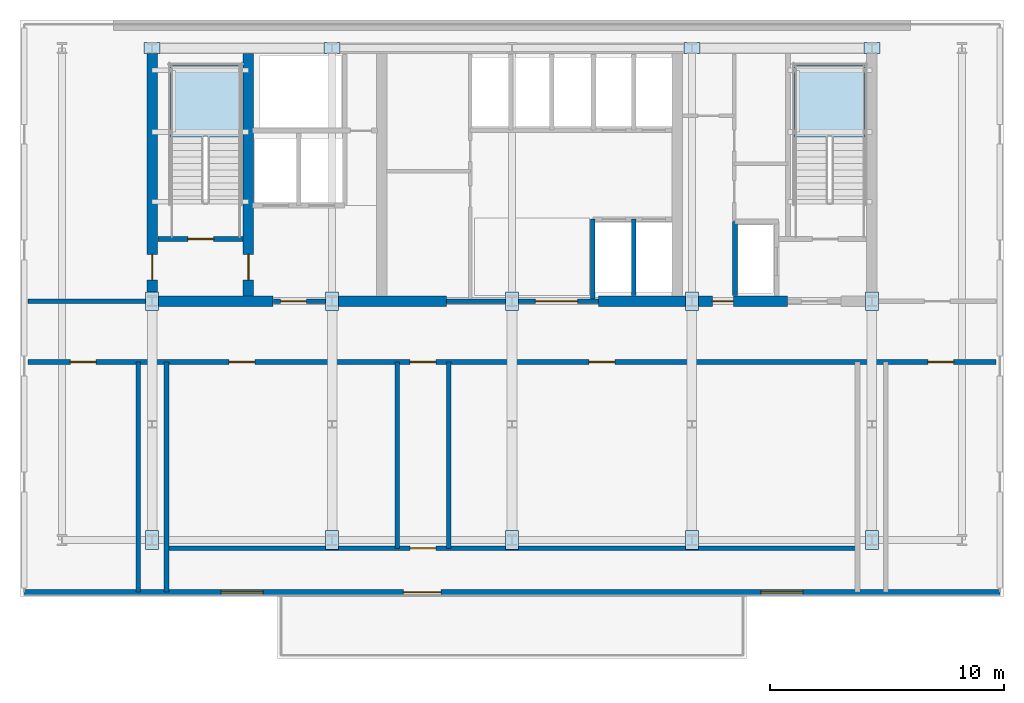
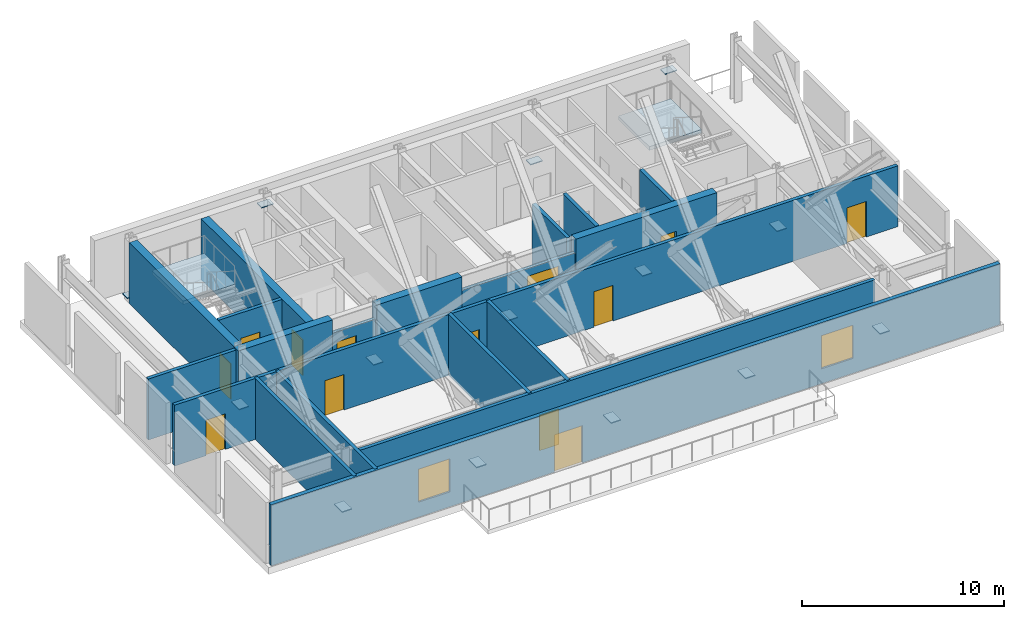
# One storey, part 2 of 8: 19 walls, 14 plates, 13 doors, 2 slabs, 2 windows, 15 openings, 2 elements without a shape of their own.
"""IFC4 building model written with IfcOpenShell, lengths in metres."""

import ifcopenshell
import ifcopenshell.guid

model = None  # the IFC model being written
_history = None  # IfcOwnerHistory: only IFC2X3 demands one
_inside = {}  # id of a spatial element -> (the spatial element, [elements in it])
_under = {}  # id of a project, library or spatial element -> (it, [spatial elements below it])
_declared = {}  # id of a project -> (the project, [libraries it declares])
_typed = {}  # id of a type object -> (the type object, [elements of that type])
_made_of = {}  # id of a material, layer set ... -> (it, [elements and type objects made of it])


def new_model(schema):
    """Start an empty IFC model of exactly this schema.

    Asked for "IFC4X3", IfcOpenShell would pick the latest addendum, in which some entities
    have other attributes; the version numbers below select the first issue.
    IFC2X3 requires an IfcOwnerHistory on every rooted entity: one is made here for all.
    """
    global model, _history
    if schema == "IFC4X3":
        model = ifcopenshell.file(schema_version=(4, 3, 0, 0))
    else:
        model = ifcopenshell.file(schema=schema)
    _inside.clear()
    _under.clear()
    _declared.clear()
    _typed.clear()
    _made_of.clear()
    _history = None
    if model.schema == "IFC2X3":
        org = make("IfcOrganization", Name="unknown")
        user = make(
            "IfcPersonAndOrganization",
            ThePerson=make("IfcPerson", FamilyName="unknown"),
            TheOrganization=org,
        )
        app = make(
            "IfcApplication",
            ApplicationDeveloper=org,
            Version="unknown",
            ApplicationFullName="unknown",
            ApplicationIdentifier="unknown",
        )
        _history = make(
            "IfcOwnerHistory",
            OwningUser=user,
            OwningApplication=app,
            ChangeAction="ADDED",
            CreationDate=0,
        )
    return model


def make(cls, **values):
    """One entity of the class cls with the attributes given. An attribute that is None is left unset."""
    return model.create_entity(
        cls, **{name: value for name, value in values.items() if value is not None}
    )


def rooted(cls, **values):
    """An entity with a GlobalId (a new one), such as an element, a storey or a relation."""
    return make(cls, GlobalId=ifcopenshell.guid.new(), OwnerHistory=_history, **values)


def si_unit(unit_type, name, prefix=None):
    """IfcSIUnit, for example si_unit("LENGTHUNIT", "METRE", prefix="MILLI")."""
    return make("IfcSIUnit", UnitType=unit_type, Prefix=prefix, Name=name)


def assignment(units):
    """IfcUnitAssignment: the units of a project."""
    return None if units is None else make("IfcUnitAssignment", Units=units)


def point(xyz):
    """IfcCartesianPoint."""
    return None if xyz is None else make("IfcCartesianPoint", Coordinates=xyz)


def direction(xyz):
    """IfcDirection."""
    return None if xyz is None else make("IfcDirection", DirectionRatios=xyz)


def frame(location, z_axis=None, x_axis=None):
    """IfcAxis2Placement3D, a coordinate frame: its origin and axes. An axis left out is left unset."""
    return make(
        "IfcAxis2Placement3D",
        Location=point(location),
        Axis=direction(z_axis),
        RefDirection=direction(x_axis),
    )


def frame_2d(location, x_axis=None):
    """IfcAxis2Placement2D, a coordinate frame in the plane: its origin and x axis."""
    return make(
        "IfcAxis2Placement2D", Location=point(location), RefDirection=direction(x_axis)
    )


def origin():
    """The frame at (0, 0, 0) with its axes left unset."""
    return frame((0.0, 0.0, 0.0))


def origin_2d():
    """The frame at (0, 0) in the plane with its x axis left unset."""
    return frame_2d((0.0, 0.0))


def place(relative_to, where):
    """IfcLocalPlacement: puts the frame where relative to a parent placement (None: the world)."""
    return make(
        "IfcLocalPlacement", PlacementRelTo=relative_to, RelativePlacement=where
    )


def context(
    kind, dimensions, precision=None, world=None, true_north=None, identifier=None
):
    """IfcGeometricRepresentationContext, for example the 3D "Model" context."""
    return make(
        "IfcGeometricRepresentationContext",
        ContextIdentifier=identifier,
        ContextType=kind,
        CoordinateSpaceDimension=dimensions,
        Precision=precision,
        WorldCoordinateSystem=world,
        TrueNorth=true_north,
    )


def subcontext(parent, identifier, kind, view, scale=None):
    """IfcGeometricRepresentationSubContext, for example "Body" below "Model"."""
    return make(
        "IfcGeometricRepresentationSubContext",
        ContextIdentifier=identifier,
        ContextType=kind,
        ParentContext=parent,
        TargetScale=scale,
        TargetView=view,
    )


def project(units=None, contexts=None):
    """IfcProject with its units and contexts."""
    return rooted(
        "IfcProject",
        Name="project",
        RepresentationContexts=contexts,
        UnitsInContext=assignment(units),
    )


def spatial(cls, under=None, at=None, **own):
    """A site, building, storey or space (cls), placed at a placement, below another one or the project."""
    s = rooted(cls, ObjectPlacement=at, **own)
    if under is not None:
        _under.setdefault(under.id(), (under, []))[1].append(s)
    return s


def polyline(points):
    """IfcPolyline through the points."""
    return make("IfcPolyline", Points=[point(p) for p in points])


def profile(cls, at=None, kind="AREA", **sizes):
    """A parametric profile (cls). Its sizes go by their IFC names, for example OverallWidth=200.0."""
    return make(cls, ProfileType=kind, Position=at, **sizes)


def rectangle(**sizes):
    """IfcRectangleProfileDef."""
    return profile("IfcRectangleProfileDef", **sizes)


def outline(outer, holes=None, kind="AREA"):
    """IfcArbitraryClosedProfileDef: a profile drawn as a closed curve; with holes, ...WithVoids."""
    if holes is None:
        return make("IfcArbitraryClosedProfileDef", ProfileType=kind, OuterCurve=outer)
    return make(
        "IfcArbitraryProfileDefWithVoids",
        ProfileType=kind,
        OuterCurve=outer,
        InnerCurves=holes,
    )


def extrude(swept, where, along, depth):
    """IfcExtrudedAreaSolid: the profile swept, set in the frame where, extruded along a direction by depth."""
    return make(
        "IfcExtrudedAreaSolid",
        SweptArea=swept,
        Position=where,
        ExtrudedDirection=direction(along),
        Depth=depth,
    )


def shape(context_of_items, identifier, shape_type, items):
    """IfcShapeRepresentation: the items that make up one representation, for example the "Body"."""
    return make(
        "IfcShapeRepresentation",
        ContextOfItems=context_of_items,
        RepresentationIdentifier=identifier,
        RepresentationType=shape_type,
        Items=items,
    )


def material(Name=None, Category=None):
    """IfcMaterial."""
    return make("IfcMaterial", Name=Name, Category=Category)


def layer(
    of_material, thickness, ventilated=None, Name=None, Category=None, Priority=None
):
    """IfcMaterialLayer: one layer of a wall or slab, of a material (None: an air gap)."""
    return make(
        "IfcMaterialLayer",
        Material=of_material,
        LayerThickness=thickness,
        IsVentilated=ventilated,
        Name=Name,
        Category=Category,
        Priority=Priority,
    )


def layer_set(layers, Name=None):
    """IfcMaterialLayerSet."""
    return make("IfcMaterialLayerSet", MaterialLayers=layers, LayerSetName=Name)


def made_of(thing, what):
    """Note that an element or type object is made of a material, layer set ...; save() writes the relation."""
    if what is not None:
        _made_of.setdefault(what.id(), (what, []))[1].append(thing)
    return thing


def type_object(cls, material=None, **own):
    """A type object (cls), such as IfcWallType, which elements share."""
    return made_of(rooted(cls, **own), material)


def element(
    cls,
    number,
    at=None,
    inside=None,
    cuts=None,
    type_object=None,
    material=None,
    context=None,
    identifier="Body",
    shape_type=None,
    held_by="IfcProductDefinitionShape",
    body=None,
    shapes=None,
    **own,
):
    """One element of the class cls, such as IfcWall. Its Tag is "e" and its number.

    at: its placement. inside: the storey or other place that contains it. cuts: it is an
    opening in that element (IfcRelVoidsElement). A single representation is given by context,
    identifier, shape_type and body (its items); several are given by shapes. held_by: the class
    of the entity that holds the representations. save() writes the other relations.
    """
    e = rooted(cls, Tag="e%d" % number, ObjectPlacement=at, **own)
    if body is not None:
        shapes = [shape(context, identifier, shape_type, body)]
    if shapes is not None:
        e.Representation = make(held_by, Representations=shapes)
    if inside is not None:
        _inside.setdefault(inside.id(), (inside, []))[1].append(e)
    if cuts is not None:
        rooted(
            "IfcRelVoidsElement", RelatingBuildingElement=cuts, RelatedOpeningElement=e
        )
    if type_object is not None:
        _typed.setdefault(type_object.id(), (type_object, []))[1].append(e)
    return made_of(e, material)


def fill(opening, filler):
    """IfcRelFillsElement: the door or window that sits in an opening."""
    return rooted(
        "IfcRelFillsElement",
        RelatingOpeningElement=opening,
        RelatedBuildingElement=filler,
    )


def aggregate(whole, parts):
    """IfcRelAggregates: a whole, such as a stair, and the parts it consists of."""
    return rooted("IfcRelAggregates", RelatingObject=whole, RelatedObjects=parts)


def save(model, path):
    """Write the relations noted so far, then the file.

    IfcRelAggregates (storeys below a building ...), IfcRelContainedInSpatialStructure (elements
    in a storey), IfcRelDefinesByType, IfcRelAssociatesMaterial and IfcRelDeclares: one each for
    every whole, place, type object, material and project.
    """
    for whole, parts in _under.values():
        aggregate(whole, parts)
    for where, things in _inside.values():
        rooted(
            "IfcRelContainedInSpatialStructure",
            RelatedElements=things,
            RelatingStructure=where,
        )
    for kind, things in _typed.values():
        rooted("IfcRelDefinesByType", RelatedObjects=things, RelatingType=kind)
    for what, things in _made_of.values():
        rooted("IfcRelAssociatesMaterial", RelatedObjects=things, RelatingMaterial=what)
    for by, libraries in _declared.values():
        rooted("IfcRelDeclares", RelatingContext=by, RelatedDefinitions=libraries)
    model.write(path)


model = new_model("IFC4")

# Units and contexts
model_context = context("Model", 3, precision=1e-05, world=origin(), true_north=direction((0.0, 1.0)))
body_context = subcontext(model_context, "Body", "Model", "MODEL_VIEW")
ifc_project = project(units=[si_unit("LENGTHUNIT", "METRE"), si_unit("AREAUNIT", "SQUARE_METRE"), si_unit("VOLUMEUNIT", "CUBIC_METRE"), si_unit("PLANEANGLEUNIT", "RADIAN"), si_unit("MASSUNIT", "GRAM", prefix="KILO")], contexts=[model_context])

# Site, building, storey
site_placement = place(None, origin())
site = spatial("IfcSite", under=ifc_project, at=site_placement, CompositionType="ELEMENT")
building_placement = place(site_placement, origin())
building = spatial("IfcBuilding", under=site, at=building_placement, Name="Yelkora Congress Tower", CompositionType="ELEMENT")
storey_placement = place(building_placement, frame((0.0, 0.0, 137.300048828125)))
storey = spatial("IfcBuildingStorey", under=building, at=storey_placement, Name="L37", CompositionType="ELEMENT", Elevation=137.300048828125)

# Plates
ifc_material_1 = material(Name="Steel S355J2", Category="steel")
ifc_layer_1 = layer(ifc_material_1, 0.050048828125)
ifc_layer_set_1 = layer_set([ifc_layer_1], Name="Steel S355J2")
plate_type_1 = type_object("IfcPlateType", Name="PLT-GUSSET-680x480", PredefinedType="USERDEFINED", material=ifc_layer_set_1)
for number, where, z_axis, x_axis, name in (
    (1, (23.0400390625, 46.199951171875, 0.32470703125), (0.0, 0.0, 1.0), (1.0, 0.0, 0.0), "N2 Core Strut Foot Gusset W"),
    (2, (30.719970703125, 46.199951171875, 3.10498046875), (0.0, 0.0, 1.0), (1.0, 0.0, 0.0), "N2 Core Strut Top Gusset W"),
    (3, (46.080078125, 46.199951171875, 0.32470703125), (0.0, 0.0, 1.0), (1.0, 0.0, 0.0), "N2 Core Strut Foot Gusset E"),
    (4, (53.760009765625, 46.199951171875, 3.10498046875), (0.0, 0.0, 1.0), (1.0, 0.0, 0.0), "N2 Core Strut Top Gusset E"),
):
    element("IfcPlate", number, at=place(storey_placement, frame(where, z_axis=z_axis, x_axis=x_axis)), inside=storey, type_object=plate_type_1, Name=name, ObjectType="GUSSET_PLATE", PredefinedType="USERDEFINED", context=body_context, shape_type="SweptSolid", body=[
        extrude(rectangle(XDim=0.679931640625, YDim=0.47998046875, at=origin_2d()), origin(), (0.0, 0.0, 1.0), 0.050048828125),
    ])
ifc_material_2 = material(Name="Steel S460M", Category="steel")
ifc_layer_2 = layer(ifc_material_2, 0.06005859375)
ifc_layer_set_2 = layer_set([ifc_layer_2], Name="Steel S460M")
plate_type_2 = type_object("IfcPlateType", Name="PLT-GUSSET-800x560", PredefinedType="USERDEFINED", material=ifc_layer_set_2)
for number, where, z_axis, x_axis, name in (
    (5, (23.0400390625, 35.39990234375, 0.219970703125), (0.0, 0.0, 1.0), (0.0, 1.0, 0.0), "N2 Outrigger End Gusset Plate 1CB"),
    (6, (23.0400390625, 25.199951171875, 0.219970703125), (0.0, 0.0, 1.0), (0.0, 1.0, 0.0), "N2 Outrigger End Gusset Plate 1SB"),
    (7, (30.719970703125, 35.39990234375, 0.219970703125), (0.0, 0.0, 1.0), (0.0, 1.0, 0.0), "N2 Outrigger End Gusset Plate 2CB"),
    (8, (30.719970703125, 25.199951171875, 0.219970703125), (0.0, 0.0, 1.0), (0.0, 1.0, 0.0), "N2 Outrigger End Gusset Plate 2SB"),
    (9, (38.39990234375, 35.39990234375, 0.219970703125), (0.0, 0.0, 1.0), (0.0, 1.0, 0.0), "N2 Outrigger End Gusset Plate 3CB"),
    (10, (38.39990234375, 25.199951171875, 0.219970703125), (0.0, 0.0, 1.0), (0.0, 1.0, 0.0), "N2 Outrigger End Gusset Plate 3SB"),
    (11, (46.080078125, 35.39990234375, 0.219970703125), (0.0, 0.0, 1.0), (0.0, 1.0, 0.0), "N2 Outrigger End Gusset Plate 4CB"),
    (12, (46.080078125, 25.199951171875, 0.219970703125), (0.0, 0.0, 1.0), (0.0, 1.0, 0.0), "N2 Outrigger End Gusset Plate 4SB"),
    (13, (53.760009765625, 35.39990234375, 0.219970703125), (0.0, 0.0, 1.0), (0.0, 1.0, 0.0), "N2 Outrigger End Gusset Plate 5CB"),
    (14, (53.760009765625, 25.199951171875, 0.219970703125), (0.0, 0.0, 1.0), (0.0, 1.0, 0.0), "N2 Outrigger End Gusset Plate 5SB"),
):
    element("IfcPlate", number, at=place(storey_placement, frame(where, z_axis=z_axis, x_axis=x_axis)), inside=storey, type_object=plate_type_2, Name=name, ObjectType="GUSSET_PLATE", PredefinedType="USERDEFINED", context=body_context, shape_type="SweptSolid", body=[
        extrude(rectangle(XDim=0.800048828125, YDim=0.56005859375, at=origin_2d()), origin(), (0.0, 0.0, 1.0), 0.06005859375),
    ])

# Stair, slab
ifc_material_3 = material(Name="Concrete C40/50", Category="concrete")
stair_type = type_object("IfcStairType", Name="STAIR-HT-1420-R22-177", PredefinedType="HALF_TURN_STAIR", material=ifc_material_3)
stair_1_placement = place(storey_placement, origin())
stair_1 = element("IfcStair", 15, at=stair_1_placement, inside=storey, type_object=stair_type, Name="West Core Protected Exit Stair ST-01 (L37)", PredefinedType="HALF_TURN_STAIR")
ifc_layer_3 = layer(ifc_material_3, 0.219970703125)
ifc_layer_set_3 = layer_set([ifc_layer_3], Name="Concrete C40/50")
slab_type = type_object("IfcSlabType", Name="SLAB-LANDING-220", PredefinedType="LANDING", material=ifc_layer_set_3)
slab_1_placement = place(storey_placement, frame((0.0, 0.0, 1.72998046875)))
slab_1 = element("IfcSlab", 16, at=slab_1_placement, type_object=slab_type, Name="ST-01 L37 Half Landing 1", PredefinedType="LANDING", context=body_context, shape_type="SweptSolid", body=[
    extrude(outline(polyline([(26.820068359375, 42.39990234375), (26.820068359375, 45.469970703125), (23.820068359375, 45.469970703125), (23.820068359375, 42.39990234375), (26.820068359375, 42.39990234375)])), origin(), (0.0, 0.0, 1.0), 0.219970703125),
])
aggregate(stair_1, [slab_1])

stair_2_placement = place(storey_placement, origin())
stair_2 = element("IfcStair", 17, at=stair_2_placement, inside=storey, type_object=stair_type, Name="East Core Protected Exit Stair ST-02 (L37)", PredefinedType="HALF_TURN_STAIR")
slab_2_placement = place(storey_placement, frame((0.0, 0.0, 1.72998046875)))
slab_2 = element("IfcSlab", 18, at=slab_2_placement, type_object=slab_type, Name="ST-02 L37 Half Landing 1", PredefinedType="LANDING", context=body_context, shape_type="SweptSolid", body=[
    extrude(outline(polyline([(53.4599609375, 42.39990234375), (53.4599609375, 45.469970703125), (50.4599609375, 45.469970703125), (50.4599609375, 42.39990234375), (53.4599609375, 42.39990234375)])), origin(), (0.0, 0.0, 1.0), 0.219970703125),
])
aggregate(stair_2, [slab_2])

# Walls
ifc_material_4 = material(Name="Concrete C60/75", Category="concrete")
ifc_layer_4 = layer(ifc_material_4, 0.449951171875)
ifc_layer_set_4 = layer_set([ifc_layer_4], Name="Concrete C60/75")
wall_type_1 = type_object("IfcWallType", Name="WALL-CORE-INT-450", PredefinedType="SHEAR", material=ifc_layer_set_4)
wall_1_placement = place(storey_placement, frame((22.81494140625, 35.39990234375, 0.0), z_axis=(0.0, 0.0, 1.0), x_axis=(1.0, 0.0, 0.0)))
element("IfcWall", 19, at=wall_1_placement, inside=storey, type_object=wall_type_1, Name="L37 Rear Core South-West Shear Wall", PredefinedType="SHEAR", context=body_context, shape_type="SweptSolid", body=[
    extrude(rectangle(XDim=5.385009765625, YDim=0.449951171875, at=frame_2d((2.6923828125, 0.0))), origin(), (0.0, 0.0, 1.0), 3.679931640625),
])
wall_2_placement = place(storey_placement, frame((30.719970703125, 35.39990234375, 0.0), z_axis=(0.0, 0.0, 1.0), x_axis=(1.0, 0.0, 0.0)))
element("IfcWall", 20, at=wall_2_placement, inside=storey, type_object=wall_type_1, Name="L37 Rear Core South-Center Shear Pier", PredefinedType="SHEAR", context=body_context, shape_type="SweptSolid", body=[
    extrude(rectangle(XDim=4.880126953125, YDim=0.449951171875, at=frame_2d((2.43994140625, 0.0))), origin(), (0.0, 0.0, 1.0), 3.679931640625),
])

# Wall, opening, door
wall_3_placement = place(storey_placement, frame((42.10009765625, 35.39990234375, 0.0), z_axis=(0.0, 0.0, 1.0), x_axis=(1.0, 0.0, 0.0)))
wall_3 = element("IfcWall", 21, at=wall_3_placement, inside=storey, type_object=wall_type_1, Name="L37 Rear Core South-East Shear Wall A", PredefinedType="SHEAR", context=body_context, shape_type="SweptSolid", body=[
    extrude(rectangle(XDim=8.0498046875, YDim=0.449951171875, at=frame_2d((4.02490234375, 0.0))), origin(), (0.0, 0.0, 1.0), 3.679931640625),
])
opening_1_placement = place(wall_3_placement, frame((4.85009765625, 0.0, 0.0)))
opening_1 = element("IfcOpeningElement", 22, at=opening_1_placement, cuts=wall_3, Name="Opening DR-090F6", PredefinedType="OPENING", context=body_context, shape_type="SweptSolid", body=[
    extrude(rectangle(XDim=0.89990234375, YDim=2.14990234375, at=frame_2d((0.449951171875, 1.074951171875))), frame((0.0, 0.23486328125, 0.0), z_axis=(0.0, -1.0, 0.0), x_axis=(1.0, 0.0, 0.0)), (0.0, 0.0, 1.0), 0.469970703125),
])
ifc_material_5 = material(Name="Painted steel riser fire door leaf", Category="steel")
door_type_1 = type_object("IfcDoorType", Name="DOOR-FD60-900", OperationType="NOTDEFINED", PredefinedType="DOOR", material=ifc_material_5)
door_1_placement = place(opening_1_placement, origin())
door_1 = element("IfcDoor", 23, at=door_1_placement, inside=storey, type_object=door_type_1, Name="L37 Core Washroom Lobby Door", OperationType="SINGLE_SWING_RIGHT", OverallHeight=2.14990234375, OverallWidth=0.89990234375, PredefinedType="DOOR", context=body_context, shape_type="SweptSolid", body=[
    extrude(rectangle(XDim=0.89990234375, YDim=2.14990234375, at=frame_2d((0.449951171875, 1.074951171875))), frame((0.0, 0.02490234375, 0.0), z_axis=(0.0, -1.0, 0.0), x_axis=(1.0, 0.0, 0.0)), (0.0, 0.0, 1.0), 0.050048828125),
])
fill(opening_1, door_1)

wall_4_placement = place(storey_placement, frame((23.0400390625, 35.625, 0.0), z_axis=(0.0, 0.0, 1.0), x_axis=(0.0, 1.0, 0.0)))
wall_4 = element("IfcWall", 24, at=wall_4_placement, inside=storey, type_object=wall_type_1, Name="L37 Rear Core Cross Shear Wall W", PredefinedType="SHEAR", context=body_context, shape_type="SweptSolid", body=[
    extrude(rectangle(XDim=10.35009765625, YDim=0.449951171875, at=frame_2d((5.175048828125, 0.0))), origin(), (0.0, 0.0, 1.0), 3.679931640625),
])
opening_2_placement = place(wall_4_placement, frame((0.675048828125, 0.0, 0.0)))
opening_2 = element("IfcOpeningElement", 25, at=opening_2_placement, cuts=wall_4, Name="Opening DR-110F9", PredefinedType="OPENING", context=body_context, shape_type="SweptSolid", body=[
    extrude(rectangle(XDim=1.10009765625, YDim=2.14990234375, at=frame_2d((0.550048828125, 1.074951171875))), frame((0.0, 0.23486328125, 0.0), z_axis=(0.0, -1.0, 0.0), x_axis=(1.0, 0.0, 0.0)), (0.0, 0.0, 1.0), 0.469970703125),
])
ifc_material_6 = material(Name="Galvanised steel fire door leaf", Category="steel")
door_type_2 = type_object("IfcDoorType", Name="DOOR-FD90-1100", OperationType="NOTDEFINED", PredefinedType="DOOR", material=ifc_material_6)
door_2_placement = place(opening_2_placement, origin())
door_2 = element("IfcDoor", 26, at=door_2_placement, inside=storey, type_object=door_type_2, Name="L37 Area of Refuge Direct Stair-Lobby Door", OperationType="SINGLE_SWING_LEFT", OverallHeight=2.14990234375, OverallWidth=1.10009765625, PredefinedType="DOOR", context=body_context, shape_type="SweptSolid", body=[
    extrude(rectangle(XDim=1.10009765625, YDim=2.14990234375, at=frame_2d((0.550048828125, 1.074951171875))), frame((0.0, 0.02490234375, 0.0), z_axis=(0.0, -1.0, 0.0), x_axis=(1.0, 0.0, 0.0)), (0.0, 0.0, 1.0), 0.050048828125),
])
fill(opening_2, door_2)

wall_5_placement = place(storey_placement, frame((27.14990234375, 35.625, 0.0), z_axis=(0.0, 0.0, 1.0), x_axis=(0.0, 1.0, 0.0)))
wall_5 = element("IfcWall", 27, at=wall_5_placement, inside=storey, type_object=wall_type_1, Name="L37 Rear Core Cross Shear Wall C1", PredefinedType="SHEAR", context=body_context, shape_type="SweptSolid", body=[
    extrude(rectangle(XDim=10.35009765625, YDim=0.449951171875, at=frame_2d((5.175048828125, 0.0))), origin(), (0.0, 0.0, 1.0), 3.679931640625),
])
opening_3_placement = place(wall_5_placement, frame((0.675048828125, 0.0, 0.0)))
opening_3 = element("IfcOpeningElement", 28, at=opening_3_placement, cuts=wall_5, Name="Opening DR-110F9", PredefinedType="OPENING", context=body_context, shape_type="SweptSolid", body=[
    extrude(rectangle(XDim=1.10009765625, YDim=2.14990234375, at=frame_2d((0.550048828125, 1.074951171875))), frame((0.0, 0.23486328125, 0.0), z_axis=(0.0, -1.0, 0.0), x_axis=(1.0, 0.0, 0.0)), (0.0, 0.0, 1.0), 0.469970703125),
])
door_3_placement = place(opening_3_placement, origin())
door_3 = element("IfcDoor", 29, at=door_3_placement, inside=storey, type_object=door_type_2, Name="L37 Firefighting Stair Transfer Door", OperationType="SINGLE_SWING_LEFT", OverallHeight=2.14990234375, OverallWidth=1.10009765625, PredefinedType="DOOR", context=body_context, shape_type="SweptSolid", body=[
    extrude(rectangle(XDim=1.10009765625, YDim=2.14990234375, at=frame_2d((0.550048828125, 1.074951171875))), frame((0.0, 0.02490234375, 0.0), z_axis=(0.0, -1.0, 0.0), x_axis=(1.0, 0.0, 0.0)), (0.0, 0.0, 1.0), 0.050048828125),
])
fill(opening_3, door_3)

# Wall, openings, door, windows
ifc_layer_5 = layer(ifc_material_3, 0.239990234375)
ifc_layer_set_5 = layer_set([ifc_layer_5], Name="Concrete C40/50")
wall_type_2 = type_object("IfcWallType", Name="WALL-EXT-LIMESTONE-240", PredefinedType="SOLIDWALL", material=ifc_layer_set_5)
wall_6_placement = place(storey_placement, frame((17.580078125, 22.97998046875, 0.0), z_axis=(0.0, 0.0, 1.0), x_axis=(1.0, 0.0, 0.0)))
wall_6 = element("IfcWall", 30, at=wall_6_placement, inside=storey, type_object=wall_type_2, Name="L37 Sky Garden Portal Wall", PredefinedType="SOLIDWALL", context=body_context, shape_type="SweptSolid", body=[
    extrude(rectangle(XDim=41.639892578125, YDim=0.239990234375, at=frame_2d((20.81982421875, 0.0))), origin(), (0.0, 0.0, 1.0), 3.679931640625),
])
opening_4_placement = place(wall_6_placement, frame((16.179931640625, 0.0, 0.0)))
opening_4 = element("IfcOpeningElement", 31, at=opening_4_placement, cuts=wall_6, Name="Opening DE-160T", PredefinedType="OPENING", context=body_context, shape_type="SweptSolid", body=[
    extrude(rectangle(XDim=1.60009765625, YDim=2.25, at=frame_2d((0.800048828125, 1.125))), frame((0.0, 0.1298828125, 0.0), z_axis=(0.0, -1.0, 0.0), x_axis=(1.0, 0.0, 0.0)), (0.0, 0.0, 1.0), 0.260009765625),
])
opening_5_placement = place(wall_6_placement, frame((8.39990234375, 0.0, 0.89990234375)))
opening_5 = element("IfcOpeningElement", 32, at=opening_5_placement, cuts=wall_6, Name="Opening WN-18", PredefinedType="OPENING", context=body_context, shape_type="SweptSolid", body=[
    extrude(rectangle(XDim=1.800048828125, YDim=2.0, at=frame_2d((0.89990234375, 1.0))), frame((0.0, 0.1298828125, 0.0), z_axis=(0.0, -1.0, 0.0), x_axis=(1.0, 0.0, 0.0)), (0.0, 0.0, 1.0), 0.260009765625),
])
opening_6_placement = place(wall_6_placement, frame((31.43994140625, 0.0, 0.89990234375)))
opening_6 = element("IfcOpeningElement", 33, at=opening_6_placement, cuts=wall_6, Name="Opening WN-18", PredefinedType="OPENING", context=body_context, shape_type="SweptSolid", body=[
    extrude(rectangle(XDim=1.800048828125, YDim=2.0, at=frame_2d((0.89990234375, 1.0))), frame((0.0, 0.1298828125, 0.0), z_axis=(0.0, -1.0, 0.0), x_axis=(1.0, 0.0, 0.0)), (0.0, 0.0, 1.0), 0.260009765625),
])
ifc_material_7 = material(Name="Thermally broken aluminium glazed terrace door", Category="aluminium")
door_type_3 = type_object("IfcDoorType", Name="DOOR-EXT-TERRACE-1600", OperationType="DOUBLE_DOOR_SINGLE_SWING", PredefinedType="DOOR", material=ifc_material_7)
door_4_placement = place(opening_4_placement, frame((1.60009765625, 0.0, 0.0), z_axis=(0.0, 0.0, 1.0), x_axis=(-1.0, 0.0, 0.0)))
door_4 = element("IfcDoor", 34, at=door_4_placement, inside=storey, type_object=door_type_3, Name="L37 Sky Garden Terrace Access Door", OperationType="SINGLE_SWING_LEFT", OverallHeight=2.25, OverallWidth=1.60009765625, PredefinedType="DOOR", context=body_context, shape_type="SweptSolid", body=[
    extrude(rectangle(XDim=1.60009765625, YDim=2.25, at=frame_2d((0.800048828125, 1.125))), frame((0.0, 0.02490234375, 0.0), z_axis=(0.0, -1.0, 0.0), x_axis=(1.0, 0.0, 0.0)), (0.0, 0.0, 1.0), 0.050048828125),
])
fill(opening_4, door_4)
ifc_material_8 = material(Name="Thermally broken aluminium low-E window", Category="aluminium")
window_type = type_object("IfcWindowType", Name="WIN-POD-1800x2000", PartitioningType="SINGLE_PANEL", PredefinedType="WINDOW", material=ifc_material_8)
window_1_placement = place(opening_5_placement, origin())
window_1 = element("IfcWindow", 35, at=window_1_placement, inside=storey, type_object=window_type, Name="L37 Plant Acoustic Louvred Window 1", OverallHeight=2.0, OverallWidth=1.800048828125, PartitioningType="SINGLE_PANEL", PredefinedType="WINDOW", context=body_context, shape_type="SweptSolid", body=[
    extrude(rectangle(XDim=1.800048828125, YDim=2.0, at=frame_2d((0.89990234375, 1.0))), frame((0.0, 0.030029296875, 0.0), z_axis=(0.0, -1.0, 0.0), x_axis=(1.0, 0.0, 0.0)), (0.0, 0.0, 1.0), 0.06005859375),
])
fill(opening_5, window_1)
window_2_placement = place(opening_6_placement, origin())
window_2 = element("IfcWindow", 36, at=window_2_placement, inside=storey, type_object=window_type, Name="L37 Plant Acoustic Louvred Window 2", OverallHeight=2.0, OverallWidth=1.800048828125, PartitioningType="SINGLE_PANEL", PredefinedType="WINDOW", context=body_context, shape_type="SweptSolid", body=[
    extrude(rectangle(XDim=1.800048828125, YDim=2.0, at=frame_2d((0.89990234375, 1.0))), frame((0.0, 0.030029296875, 0.0), z_axis=(0.0, -1.0, 0.0), x_axis=(1.0, 0.0, 0.0)), (0.0, 0.0, 1.0), 0.06005859375),
])
fill(opening_6, window_2)

# Wall, opening, door
ifc_material_9 = material(Name="Autoclaved aerated concrete blockwork", Category="masonry")
ifc_layer_6 = layer(ifc_material_9, 0.199951171875)
ifc_layer_set_6 = layer_set([ifc_layer_6], Name="Autoclaved aerated concrete blockwork")
wall_type_3 = type_object("IfcWallType", Name="WALL-INT-200-R120", PredefinedType="PARTITIONING", material=ifc_layer_set_6)
wall_7_placement = place(storey_placement, frame((23.300048828125, 38.050048828125, 0.0), z_axis=(0.0, 0.0, 1.0), x_axis=(1.0, 0.0, 0.0)))
wall_7 = element("IfcWall", 37, at=wall_7_placement, inside=storey, type_object=wall_type_3, Name="L37 Stair ST-01 Enclosure Wall", PredefinedType="PARTITIONING", context=body_context, shape_type="SweptSolid", body=[
    extrude(rectangle(XDim=3.619873046875, YDim=0.199951171875, at=frame_2d((1.81005859375, 0.0))), origin(), (0.0, 0.0, 1.0), 3.679931640625),
])
opening_7_placement = place(wall_7_placement, frame((1.260009765625, 0.0, 0.0)))
opening_7 = element("IfcOpeningElement", 38, at=opening_7_placement, cuts=wall_7, Name="Opening DR-110F9", PredefinedType="OPENING", context=body_context, shape_type="SweptSolid", body=[
    extrude(rectangle(XDim=1.10009765625, YDim=2.14990234375, at=frame_2d((0.550048828125, 1.074951171875))), frame((0.0, 0.10986328125, 0.0), z_axis=(0.0, -1.0, 0.0), x_axis=(1.0, 0.0, 0.0)), (0.0, 0.0, 1.0), 0.219970703125),
])
door_5_placement = place(opening_7_placement, origin())
door_5 = element("IfcDoor", 39, at=door_5_placement, inside=storey, type_object=door_type_2, Name="L37 Stair ST-01 Entry Door", OperationType="SINGLE_SWING_LEFT", OverallHeight=2.14990234375, OverallWidth=1.10009765625, PredefinedType="DOOR", context=body_context, shape_type="SweptSolid", body=[
    extrude(rectangle(XDim=1.10009765625, YDim=2.14990234375, at=frame_2d((0.550048828125, 1.074951171875))), frame((0.0, 0.02490234375, 0.0), z_axis=(0.0, -1.0, 0.0), x_axis=(1.0, 0.0, 0.0)), (0.0, 0.0, 1.0), 0.050048828125),
])
fill(opening_7, door_5)

wall_8_placement = place(storey_placement, frame((28.219970703125, 35.39990234375, 0.0), z_axis=(0.0, 0.0, 1.0), x_axis=(1.0, 0.0, 0.0)))
wall_8 = element("IfcWall", 40, at=wall_8_placement, inside=storey, type_object=wall_type_3, Name="L37 Firefighting Lobby South Wall", PredefinedType="PARTITIONING", context=body_context, shape_type="SweptSolid", body=[
    extrude(rectangle(XDim=2.5, YDim=0.199951171875, at=frame_2d((1.25, 0.0))), origin(), (0.0, 0.0, 1.0), 2.764892578125),
])
opening_8_placement = place(wall_8_placement, frame((0.300048828125, 0.0, 0.0)))
opening_8 = element("IfcOpeningElement", 41, at=opening_8_placement, cuts=wall_8, Name="Opening DR-110F9", PredefinedType="OPENING", context=body_context, shape_type="SweptSolid", body=[
    extrude(rectangle(XDim=1.10009765625, YDim=2.14990234375, at=frame_2d((0.550048828125, 1.074951171875))), frame((0.0, 0.10986328125, 0.0), z_axis=(0.0, -1.0, 0.0), x_axis=(1.0, 0.0, 0.0)), (0.0, 0.0, 1.0), 0.219970703125),
])
door_6_placement = place(opening_8_placement, origin())
door_6 = element("IfcDoor", 42, at=door_6_placement, inside=storey, type_object=door_type_2, Name="L37 Firefighting Lobby Corridor Door", OperationType="SINGLE_SWING_RIGHT", OverallHeight=2.14990234375, OverallWidth=1.10009765625, PredefinedType="DOOR", context=body_context, shape_type="SweptSolid", body=[
    extrude(rectangle(XDim=1.10009765625, YDim=2.14990234375, at=frame_2d((0.550048828125, 1.074951171875))), frame((0.0, 0.02490234375, 0.0), z_axis=(0.0, -1.0, 0.0), x_axis=(1.0, 0.0, 0.0)), (0.0, 0.0, 1.0), 0.050048828125),
])
fill(opening_8, door_6)

wall_9_placement = place(storey_placement, frame((35.60009765625, 35.39990234375, 0.0), z_axis=(0.0, 0.0, 1.0), x_axis=(1.0, 0.0, 0.0)))
wall_9 = element("IfcWall", 43, at=wall_9_placement, inside=storey, type_object=wall_type_3, Name="L37 Main Lift Lobby South Portal Wall", PredefinedType="PARTITIONING", context=body_context, shape_type="SweptSolid", body=[
    extrude(rectangle(XDim=6.5, YDim=0.199951171875, at=frame_2d((3.25, 0.0))), origin(), (0.0, 0.0, 1.0), 2.764892578125),
])
opening_9_placement = place(wall_9_placement, frame((3.800048828125, 0.0, 0.0)))
opening_9 = element("IfcOpeningElement", 44, at=opening_9_placement, cuts=wall_9, Name="Opening DR-180D", PredefinedType="OPENING", context=body_context, shape_type="SweptSolid", body=[
    extrude(rectangle(XDim=1.800048828125, YDim=2.300048828125, at=frame_2d((0.89990234375, 1.14990234375))), frame((0.0, 0.10986328125, 0.0), z_axis=(0.0, -1.0, 0.0), x_axis=(1.0, 0.0, 0.0)), (0.0, 0.0, 1.0), 0.219970703125),
])
ifc_material_10 = material(Name="Acoustic double congress hall doors", Category="wood")
door_type_4 = type_object("IfcDoorType", Name="DOOR-DBL-1800", OperationType="DOUBLE_DOOR_SINGLE_SWING", PredefinedType="DOOR", material=ifc_material_10)
door_7_placement = place(opening_9_placement, origin())
door_7 = element("IfcDoor", 45, at=door_7_placement, inside=storey, type_object=door_type_4, Name="L37 Main Lift Lobby Portal Door", OperationType="DOUBLE_DOOR_SINGLE_SWING", OverallHeight=2.300048828125, OverallWidth=1.800048828125, PredefinedType="DOOR", context=body_context, shape_type="SweptSolid", body=[
    extrude(rectangle(XDim=1.800048828125, YDim=2.300048828125, at=frame_2d((0.89990234375, 1.14990234375))), frame((0.0, 0.02490234375, 0.0), z_axis=(0.0, -1.0, 0.0), x_axis=(1.0, 0.0, 0.0)), (0.0, 0.0, 1.0), 0.050048828125),
])
fill(opening_9, door_7)

# Walls
wall_10_placement = place(storey_placement, frame((43.60009765625, 35.64990234375, 0.0), z_axis=(0.0, 0.0, 1.0), x_axis=(0.0, 1.0, 0.0)))
element("IfcWall", 46, at=wall_10_placement, inside=storey, type_object=wall_type_3, Name="L37 Partition Wall 15", PredefinedType="PARTITIONING", context=body_context, shape_type="SweptSolid", body=[
    extrude(rectangle(XDim=3.25, YDim=0.199951171875, at=frame_2d((1.625, 0.0))), origin(), (0.0, 0.0, 1.0), 3.679931640625),
])
wall_11_placement = place(storey_placement, frame((41.85009765625, 35.5, 0.0), z_axis=(0.0, 0.0, 1.0), x_axis=(0.0, 1.0, 0.0)))
element("IfcWall", 47, at=wall_11_placement, inside=storey, type_object=wall_type_3, Name="L37 Partition Wall 17", PredefinedType="PARTITIONING", context=body_context, shape_type="SweptSolid", body=[
    extrude(rectangle(XDim=3.39990234375, YDim=0.199951171875, at=frame_2d((1.699951171875, 0.0))), origin(), (0.0, 0.0, 1.0), 3.679931640625),
])
wall_12_placement = place(storey_placement, frame((47.919921875, 35.64990234375, 0.0), z_axis=(0.0, 0.0, 1.0), x_axis=(0.0, 1.0, 0.0)))
element("IfcWall", 48, at=wall_12_placement, inside=storey, type_object=wall_type_3, Name="L37 Partition Wall 22", PredefinedType="PARTITIONING", context=body_context, shape_type="SweptSolid", body=[
    extrude(rectangle(XDim=3.150146484375, YDim=0.199951171875, at=frame_2d((1.5751953125, 0.0))), origin(), (0.0, 0.0, 1.0), 3.679931640625),
])
wall_13_placement = place(storey_placement, frame((17.75, 35.39990234375, 0.0), z_axis=(0.0, 0.0, 1.0), x_axis=(1.0, 0.0, 0.0)))
element("IfcWall", 49, at=wall_13_placement, inside=storey, type_object=wall_type_3, Name="L37 Partition Wall 27", PredefinedType="PARTITIONING", context=body_context, shape_type="SweptSolid", body=[
    extrude(rectangle(XDim=5.0, YDim=0.199951171875, at=frame_2d((2.5, 0.0))), origin(), (0.0, 0.0, 1.0), 3.679931640625),
])
for number, where, z_axis, x_axis, name in (
    (50, (22.449951171875, 22.97998046875, 0.0), (0.0, 0.0, 1.0), (0.0, 1.0, 0.0), "L37 Partition Wall 29"),
    (51, (23.64990234375, 22.97998046875, 0.0), (0.0, 0.0, 1.0), (0.0, 1.0, 0.0), "L37 Partition Wall 30"),
):
    element("IfcWall", number, at=place(storey_placement, frame(where, z_axis=z_axis, x_axis=x_axis)), inside=storey, type_object=wall_type_3, Name=name, PredefinedType="PARTITIONING", context=body_context, shape_type="SweptSolid", body=[
        extrude(rectangle(XDim=9.820068359375, YDim=0.199951171875, at=frame_2d((4.91015625, 0.0))), origin(), (0.0, 0.0, 1.0), 3.679931640625),
    ])
for number, where, z_axis, x_axis, name in (
    (52, (33.5, 24.85009765625, 0.0), (0.0, 0.0, 1.0), (0.0, 1.0, 0.0), "L37 Partition Wall 33"),
    (53, (35.699951171875, 24.85009765625, 0.0), (0.0, 0.0, 1.0), (0.0, 1.0, 0.0), "L37 Partition Wall 34"),
):
    element("IfcWall", number, at=place(storey_placement, frame(where, z_axis=z_axis, x_axis=x_axis)), inside=storey, type_object=wall_type_3, Name=name, PredefinedType="PARTITIONING", context=body_context, shape_type="SweptSolid", body=[
        extrude(rectangle(XDim=7.949951171875, YDim=0.199951171875, at=frame_2d((3.97509765625, 0.0))), origin(), (0.0, 0.0, 1.0), 3.679931640625),
    ])

# Wall, openings, doors
wall_14_placement = place(storey_placement, frame((17.75, 32.800048828125, 0.0), z_axis=(0.0, 0.0, 1.0), x_axis=(1.0, 0.0, 0.0)))
wall_14 = element("IfcWall", 54, at=wall_14_placement, inside=storey, type_object=wall_type_3, Name="L37 Partition Wall 36", PredefinedType="PARTITIONING", context=body_context, shape_type="SweptSolid", body=[
    extrude(rectangle(XDim=41.300048828125, YDim=0.199951171875, at=frame_2d((20.64990234375, 0.0))), origin(), (0.0, 0.0, 1.0), 3.679931640625),
])
opening_10_placement = place(wall_14_placement, frame((1.800048828125, 0.0, 0.0)))
opening_10 = element("IfcOpeningElement", 55, at=opening_10_placement, cuts=wall_14, Name="Opening DR-110F9", PredefinedType="OPENING", context=body_context, shape_type="SweptSolid", body=[
    extrude(rectangle(XDim=1.10009765625, YDim=2.14990234375, at=frame_2d((0.550048828125, 1.074951171875))), frame((0.0, 0.10986328125, 0.0), z_axis=(0.0, -1.0, 0.0), x_axis=(1.0, 0.0, 0.0)), (0.0, 0.0, 1.0), 0.219970703125),
])
opening_11_placement = place(wall_14_placement, frame((8.580078125, 0.0, 0.0)))
opening_11 = element("IfcOpeningElement", 56, at=opening_11_placement, cuts=wall_14, Name="Opening DR-110F9", PredefinedType="OPENING", context=body_context, shape_type="SweptSolid", body=[
    extrude(rectangle(XDim=1.10009765625, YDim=2.14990234375, at=frame_2d((0.550048828125, 1.074951171875))), frame((0.0, 0.10986328125, 0.0), z_axis=(0.0, -1.0, 0.0), x_axis=(1.0, 0.0, 0.0)), (0.0, 0.0, 1.0), 0.219970703125),
])
opening_12_placement = place(wall_14_placement, frame((16.300048828125, 0.0, 0.0)))
opening_12 = element("IfcOpeningElement", 57, at=opening_12_placement, cuts=wall_14, Name="Opening DR-110F6", PredefinedType="OPENING", context=body_context, shape_type="SweptSolid", body=[
    extrude(rectangle(XDim=1.10009765625, YDim=2.14990234375, at=frame_2d((0.550048828125, 1.074951171875))), frame((0.0, 0.10986328125, 0.0), z_axis=(0.0, -1.0, 0.0), x_axis=(1.0, 0.0, 0.0)), (0.0, 0.0, 1.0), 0.219970703125),
])
opening_13_placement = place(wall_14_placement, frame((23.93994140625, 0.0, 0.0)))
opening_13 = element("IfcOpeningElement", 58, at=opening_13_placement, cuts=wall_14, Name="Opening DR-110F9", PredefinedType="OPENING", context=body_context, shape_type="SweptSolid", body=[
    extrude(rectangle(XDim=1.10009765625, YDim=2.14990234375, at=frame_2d((0.550048828125, 1.074951171875))), frame((0.0, 0.10986328125, 0.0), z_axis=(0.0, -1.0, 0.0), x_axis=(1.0, 0.0, 0.0)), (0.0, 0.0, 1.0), 0.219970703125),
])
opening_14_placement = place(wall_14_placement, frame((38.39990234375, 0.0, 0.0)))
opening_14 = element("IfcOpeningElement", 59, at=opening_14_placement, cuts=wall_14, Name="Opening DR-110F9", PredefinedType="OPENING", context=body_context, shape_type="SweptSolid", body=[
    extrude(rectangle(XDim=1.10009765625, YDim=2.14990234375, at=frame_2d((0.550048828125, 1.074951171875))), frame((0.0, 0.10986328125, 0.0), z_axis=(0.0, -1.0, 0.0), x_axis=(1.0, 0.0, 0.0)), (0.0, 0.0, 1.0), 0.219970703125),
])
ifc_material_11 = material(Name="Fire-rated composite timber-steel leaf", Category="steel")
door_type_5 = type_object("IfcDoorType", Name="DOOR-FD60-1100", OperationType="NOTDEFINED", PredefinedType="DOOR", material=ifc_material_11)
door_8_placement = place(opening_12_placement, origin())
door_8 = element("IfcDoor", 60, at=door_8_placement, inside=storey, type_object=door_type_5, Name="L37 Interior Door 23", OperationType="SINGLE_SWING_LEFT", OverallHeight=2.14990234375, OverallWidth=1.10009765625, PredefinedType="DOOR", context=body_context, shape_type="SweptSolid", body=[
    extrude(rectangle(XDim=1.10009765625, YDim=2.14990234375, at=frame_2d((0.550048828125, 1.074951171875))), frame((0.0, 0.02490234375, 0.0), z_axis=(0.0, -1.0, 0.0), x_axis=(1.0, 0.0, 0.0)), (0.0, 0.0, 1.0), 0.050048828125),
])
fill(opening_12, door_8)
door_9_placement = place(opening_10_placement, origin())
door_9 = element("IfcDoor", 61, at=door_9_placement, inside=storey, type_object=door_type_2, Name="L37 Interior Door 21", OperationType="SINGLE_SWING_LEFT", OverallHeight=2.14990234375, OverallWidth=1.10009765625, PredefinedType="DOOR", context=body_context, shape_type="SweptSolid", body=[
    extrude(rectangle(XDim=1.10009765625, YDim=2.14990234375, at=frame_2d((0.550048828125, 1.074951171875))), frame((0.0, 0.02490234375, 0.0), z_axis=(0.0, -1.0, 0.0), x_axis=(1.0, 0.0, 0.0)), (0.0, 0.0, 1.0), 0.050048828125),
])
fill(opening_10, door_9)
door_10_placement = place(opening_11_placement, origin())
door_10 = element("IfcDoor", 62, at=door_10_placement, inside=storey, type_object=door_type_2, Name="L37 Interior Door 22", OperationType="SINGLE_SWING_RIGHT", OverallHeight=2.14990234375, OverallWidth=1.10009765625, PredefinedType="DOOR", context=body_context, shape_type="SweptSolid", body=[
    extrude(rectangle(XDim=1.10009765625, YDim=2.14990234375, at=frame_2d((0.550048828125, 1.074951171875))), frame((0.0, 0.02490234375, 0.0), z_axis=(0.0, -1.0, 0.0), x_axis=(1.0, 0.0, 0.0)), (0.0, 0.0, 1.0), 0.050048828125),
])
fill(opening_11, door_10)
door_11_placement = place(opening_13_placement, origin())
door_11 = element("IfcDoor", 63, at=door_11_placement, inside=storey, type_object=door_type_2, Name="L37 Interior Door 24", OperationType="SINGLE_SWING_RIGHT", OverallHeight=2.14990234375, OverallWidth=1.10009765625, PredefinedType="DOOR", context=body_context, shape_type="SweptSolid", body=[
    extrude(rectangle(XDim=1.10009765625, YDim=2.14990234375, at=frame_2d((0.550048828125, 1.074951171875))), frame((0.0, 0.02490234375, 0.0), z_axis=(0.0, -1.0, 0.0), x_axis=(1.0, 0.0, 0.0)), (0.0, 0.0, 1.0), 0.050048828125),
])
fill(opening_13, door_11)
door_12_placement = place(opening_14_placement, origin())
door_12 = element("IfcDoor", 64, at=door_12_placement, inside=storey, type_object=door_type_2, Name="L37 Interior Door 25", OperationType="SINGLE_SWING_LEFT", OverallHeight=2.14990234375, OverallWidth=1.10009765625, PredefinedType="DOOR", context=body_context, shape_type="SweptSolid", body=[
    extrude(rectangle(XDim=1.10009765625, YDim=2.14990234375, at=frame_2d((0.550048828125, 1.074951171875))), frame((0.0, 0.02490234375, 0.0), z_axis=(0.0, -1.0, 0.0), x_axis=(1.0, 0.0, 0.0)), (0.0, 0.0, 1.0), 0.050048828125),
])
fill(opening_14, door_12)

# Wall, opening, door
ifc_material_12 = material(Name="Autoclaved high-density acoustic blockwork", Category="masonry")
ifc_layer_7 = layer(ifc_material_12, 0.199951171875)
ifc_layer_set_7 = layer_set([ifc_layer_7], Name="Autoclaved high-density acoustic blockwork")
wall_type_4 = type_object("IfcWallType", Name="WALL-INT-200-R90", PredefinedType="PARTITIONING", material=ifc_layer_set_7)
wall_15_placement = place(storey_placement, frame((23.64990234375, 24.85009765625, 0.0), z_axis=(0.0, 0.0, 1.0), x_axis=(1.0, 0.0, 0.0)))
wall_15 = element("IfcWall", 65, at=wall_15_placement, inside=storey, type_object=wall_type_4, Name="L37 Partition Wall 35", PredefinedType="PARTITIONING", context=body_context, shape_type="SweptSolid", body=[
    extrude(rectangle(XDim=29.5, YDim=0.199951171875, at=frame_2d((14.75, 0.0))), origin(), (0.0, 0.0, 1.0), 3.679931640625),
])
opening_15_placement = place(wall_15_placement, frame((10.39990234375, 0.0, 0.0)))
opening_15 = element("IfcOpeningElement", 66, at=opening_15_placement, cuts=wall_15, Name="Opening DR-110F6", PredefinedType="OPENING", context=body_context, shape_type="SweptSolid", body=[
    extrude(rectangle(XDim=1.10009765625, YDim=2.14990234375, at=frame_2d((0.550048828125, 1.074951171875))), frame((0.0, 0.10986328125, 0.0), z_axis=(0.0, -1.0, 0.0), x_axis=(1.0, 0.0, 0.0)), (0.0, 0.0, 1.0), 0.219970703125),
])
door_13_placement = place(opening_15_placement, origin())
door_13 = element("IfcDoor", 67, at=door_13_placement, inside=storey, type_object=door_type_5, Name="L37 Sky Garden Lounge Door", OperationType="SINGLE_SWING_RIGHT", OverallHeight=2.14990234375, OverallWidth=1.10009765625, PredefinedType="DOOR", context=body_context, shape_type="SweptSolid", body=[
    extrude(rectangle(XDim=1.10009765625, YDim=2.14990234375, at=frame_2d((0.550048828125, 1.074951171875))), frame((0.0, 0.02490234375, 0.0), z_axis=(0.0, -1.0, 0.0), x_axis=(1.0, 0.0, 0.0)), (0.0, 0.0, 1.0), 0.050048828125),
])
fill(opening_15, door_13)

save(model, "model.ifc")
